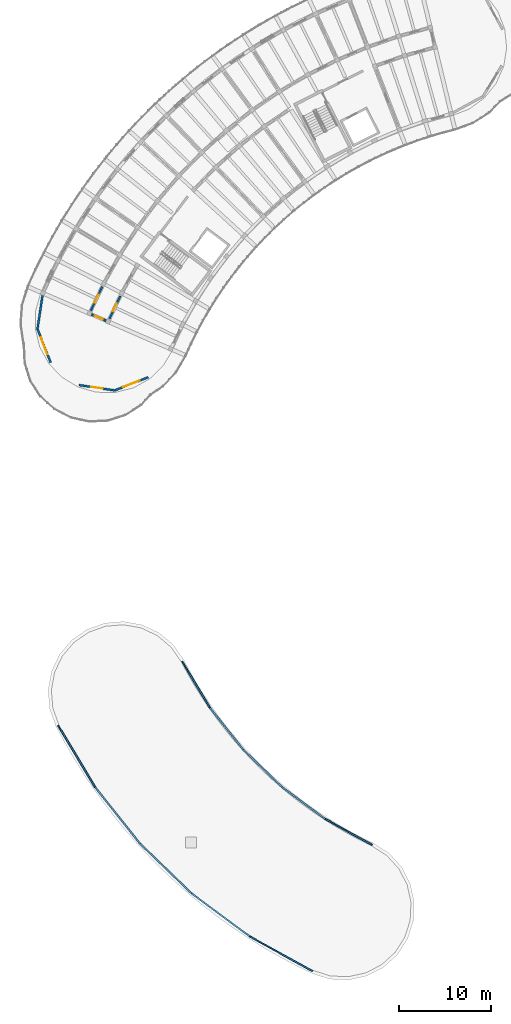
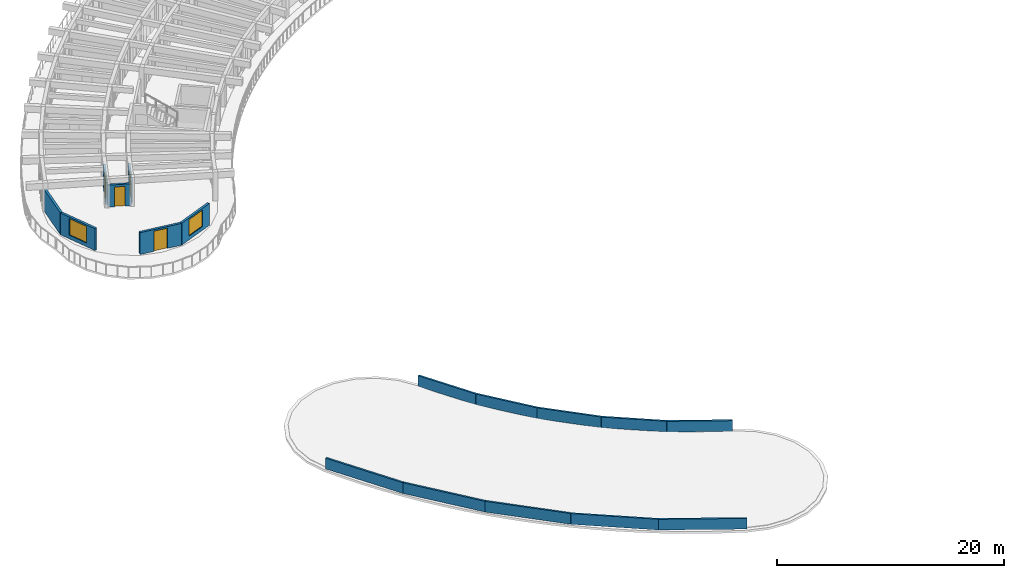
# One storey, part 18 of 36: 17 walls, 4 doors, 2 windows, 6 openings.
"""IFC4 building model written with IfcOpenShell, lengths in metres."""

from ifc_helpers import new_model, si_unit, direction, frame, frame_2d, origin, place, context, subcontext, project, spatial, rectangle, extrude, material, layer, layer_set, type_object, element, fill, save


model = new_model("IFC4")

# Units and contexts
model_context = context("Model", 3, precision=1e-05, world=origin(), true_north=direction((0.0, 1.0)))
body_context = subcontext(model_context, "Body", "Model", "MODEL_VIEW")
ifc_project = project(units=[si_unit("LENGTHUNIT", "METRE"), si_unit("AREAUNIT", "SQUARE_METRE"), si_unit("VOLUMEUNIT", "CUBIC_METRE"), si_unit("PLANEANGLEUNIT", "RADIAN"), si_unit("MASSUNIT", "GRAM", prefix="KILO")], contexts=[model_context])

# Site, building, storey
site_placement = place(None, origin())
site = spatial("IfcSite", under=ifc_project, at=site_placement, CompositionType="ELEMENT")
building_placement = place(site_placement, origin())
building = spatial("IfcBuilding", under=site, at=building_placement, Name="Tanwirah Colonnade Gardens", CompositionType="ELEMENT")
storey_placement = place(building_placement, frame((0.0, 0.0, 39.080078125)))
storey = spatial("IfcBuildingStorey", under=building, at=storey_placement, Name="L11", CompositionType="ELEMENT", Elevation=39.080078125)

# Walls
ifc_material_1 = material(Name="White architectural precast concrete C40/50", Category="concrete")
ifc_layer_1 = layer(ifc_material_1, 0.179931640625)
ifc_layer_set_1 = layer_set([ifc_layer_1], Name="White architectural precast concrete C40/50")
wall_type_1 = type_object("IfcWallType", Name="EW-PAR180", PredefinedType="PARAPET", material=ifc_layer_set_1)
wall_1_placement = place(storey_placement, frame((12.05908203125, 37.233642578125, 0.0), z_axis=(0.0, 0.0, 1.0), x_axis=(0.515039524062, -0.857166429962, 0.0)))
element("IfcWall", 1, at=wall_1_placement, inside=storey, type_object=wall_type_1, Name="Block C Roof Cornice Parapet OUT-0", PredefinedType="PARAPET", context=body_context, shape_type="SweptSolid", body=[
    extrude(rectangle(XDim=7.78955078125, YDim=0.179931640625, at=frame_2d((3.894775390625, 0.0))), origin(), (0.0, 0.0, 1.0), 1.14990234375),
])
wall_2_placement = place(storey_placement, frame((25.483154296875, 44.1474609375, 0.0), z_axis=(0.0, 0.0, 1.0), x_axis=(0.515039041259, -0.85716672006, 0.0)))
element("IfcWall", 2, at=wall_2_placement, inside=storey, type_object=wall_type_1, Name="Block C Roof Cornice Parapet IN-0", PredefinedType="PARAPET", context=body_context, shape_type="SweptSolid", body=[
    extrude(rectangle(XDim=5.814453125, YDim=0.179931640625, at=frame_2d((2.9072265625, 0.0))), origin(), (0.0, 0.0, 1.0), 1.14990234375),
])
wall_3_placement = place(storey_placement, frame((16.071044921875, 30.556640625, 0.0), z_axis=(0.0, 0.0, 1.0), x_axis=(0.622494771088, -0.782623958213, 0.0)))
element("IfcWall", 3, at=wall_3_placement, inside=storey, type_object=wall_type_1, Name="Block C Roof Cornice Parapet OUT-2", PredefinedType="PARAPET", context=body_context, shape_type="SweptSolid", body=[
    extrude(rectangle(XDim=7.789306640625, YDim=0.179931640625, at=frame_2d((3.89453125, 0.0))), origin(), (0.0, 0.0, 1.0), 1.14990234375),
])
wall_4_placement = place(storey_placement, frame((28.477783203125, 39.16357421875, 0.0), z_axis=(0.0, 0.0, 1.0), x_axis=(0.622531748433, -0.78259454521, 0.0)))
element("IfcWall", 4, at=wall_4_placement, inside=storey, type_object=wall_type_1, Name="Block C Roof Cornice Parapet IN-2", PredefinedType="PARAPET", context=body_context, shape_type="SweptSolid", body=[
    extrude(rectangle(XDim=5.814453125, YDim=0.179931640625, at=frame_2d((2.9072265625, 0.0))), origin(), (0.0, 0.0, 1.0), 1.14990234375),
])
wall_5_placement = place(storey_placement, frame((20.919921875, 24.46044921875, 0.0), z_axis=(0.0, 0.0, 1.0), x_axis=(0.719363116119, -0.694634225451, 0.0)))
element("IfcWall", 5, at=wall_5_placement, inside=storey, type_object=wall_type_1, Name="Block C Roof Cornice Parapet OUT-4", PredefinedType="PARAPET", context=body_context, shape_type="SweptSolid", body=[
    extrude(rectangle(XDim=7.78955078125, YDim=0.179931640625, at=frame_2d((3.894775390625, 0.0))), origin(), (0.0, 0.0, 1.0), 1.14990234375),
])
wall_6_placement = place(storey_placement, frame((32.097412109375, 34.61328125, 0.0), z_axis=(0.0, 0.0, 1.0), x_axis=(0.719323316706, -0.694675439355, 0.0)))
element("IfcWall", 6, at=wall_6_placement, inside=storey, type_object=wall_type_1, Name="Block C Roof Cornice Parapet IN-4", PredefinedType="PARAPET", context=body_context, shape_type="SweptSolid", body=[
    extrude(rectangle(XDim=5.814208984375, YDim=0.179931640625, at=frame_2d((2.9072265625, 0.0))), origin(), (0.0, 0.0, 1.0), 1.14990234375),
])
wall_7_placement = place(storey_placement, frame((26.5234375, 19.049560546875, 0.0), z_axis=(0.0, 0.0, 1.0), x_axis=(0.803838602122, -0.594847460899, 0.0)))
element("IfcWall", 7, at=wall_7_placement, inside=storey, type_object=wall_type_1, Name="Block C Roof Cornice Parapet OUT-6", PredefinedType="PARAPET", context=body_context, shape_type="SweptSolid", body=[
    extrude(rectangle(XDim=7.78955078125, YDim=0.179931640625, at=frame_2d((3.894775390625, 0.0))), origin(), (0.0, 0.0, 1.0), 1.14990234375),
])
wall_8_placement = place(storey_placement, frame((36.27978515625, 30.57421875, 0.0), z_axis=(0.0, 0.0, 1.0), x_axis=(0.803853142651, -0.594827811262, 0.0)))
element("IfcWall", 8, at=wall_8_placement, inside=storey, type_object=wall_type_1, Name="Block C Roof Cornice Parapet IN-6", PredefinedType="PARAPET", context=body_context, shape_type="SweptSolid", body=[
    extrude(rectangle(XDim=5.814208984375, YDim=0.179931640625, at=frame_2d((2.9072265625, 0.0))), origin(), (0.0, 0.0, 1.0), 1.14990234375),
])
wall_9_placement = place(storey_placement, frame((32.784912109375, 14.416015625, 0.0), z_axis=(0.0, 0.0, 1.0), x_axis=(0.874626994987, -0.484796472388, 0.0)))
element("IfcWall", 9, at=wall_9_placement, inside=storey, type_object=wall_type_1, Name="Block C Roof Cornice Parapet OUT-8", PredefinedType="PARAPET", context=body_context, shape_type="SweptSolid", body=[
    extrude(rectangle(XDim=7.78955078125, YDim=0.179931640625, at=frame_2d((3.894775390625, 0.0))), origin(), (0.0, 0.0, 1.0), 1.14990234375),
])
wall_10_placement = place(storey_placement, frame((40.95361328125, 27.11572265625, 0.0), z_axis=(0.0, 0.0, 1.0), x_axis=(0.874624292428, -0.484801348074, 0.0)))
element("IfcWall", 10, at=wall_10_placement, inside=storey, type_object=wall_type_1, Name="Block C Roof Cornice Parapet IN-8", PredefinedType="PARAPET", context=body_context, shape_type="SweptSolid", body=[
    extrude(rectangle(XDim=5.814453125, YDim=0.179931640625, at=frame_2d((2.9072265625, 0.0))), origin(), (0.0, 0.0, 1.0), 1.14990234375),
])

# Wall, opening, window
ifc_material_2 = material(Name="Limestone architectural precast concrete C40/50", Category="masonry")
ifc_layer_2 = layer(ifc_material_2, 0.22509765625)
ifc_layer_set_2 = layer_set([ifc_layer_2], Name="Limestone architectural precast concrete C40/50")
wall_type_2 = type_object("IfcWallType", Name="EW-PC225", PredefinedType="SOLIDWALL", material=ifc_layer_set_2)
wall_11_placement = place(storey_placement, frame((21.818115234375, 74.90771484375, 0.0), z_axis=(0.0, 0.0, 1.0), x_axis=(-0.930784898276, -0.365567330517, 0.0)))
wall_11 = element("IfcWall", 11, at=wall_11_placement, inside=storey, type_object=wall_type_2, Name="Block A L11 END Rounded End Wall 1", PredefinedType="SOLIDWALL", context=body_context, shape_type="SweptSolid", body=[
    extrude(rectangle(XDim=3.908203125, YDim=0.22509765625, at=frame_2d((1.9541015625, 0.0))), origin(), (0.0, 0.0, 1.0), 2.35498046875),
])
opening_1_placement = place(wall_11_placement, frame((0.97900390625, 0.0, 0.39990234375)))
opening_1 = element("IfcOpeningElement", 12, at=opening_1_placement, cuts=wall_11, Name="Opening WIN-END2", PredefinedType="OPENING", context=body_context, shape_type="SweptSolid", body=[
    extrude(rectangle(XDim=1.949951171875, YDim=1.780029296875, at=frame_2d((0.97509765625, 0.89013671875))), frame((0.0, 0.12255859375, 0.0), z_axis=(0.0, -1.0, 0.0), x_axis=(1.0, 0.0, 0.0)), (0.0, 0.0, 1.0), 0.2451171875),
])
ifc_material_3 = material(Name="Thermally broken bronze aluminium and solar low-E double glazing", Category="aluminium")
window_type = type_object("IfcWindowType", Name="WIN-END2", PartitioningType="TRIPLE_PANEL_VERTICAL", PredefinedType="WINDOW", material=ifc_material_3)
window_1_placement = place(opening_1_placement, origin())
window_1 = element("IfcWindow", 13, at=window_1_placement, inside=storey, type_object=window_type, Name="Rounded corner window A-L11-END-1", OverallHeight=1.780029296875, OverallWidth=1.949951171875, PartitioningType="SINGLE_PANEL", PredefinedType="WINDOW", context=body_context, shape_type="SweptSolid", body=[
    extrude(rectangle(XDim=1.949951171875, YDim=1.780029296875, at=frame_2d((0.97509765625, 0.89013671875))), frame((0.0, 0.030029296875, 0.0), z_axis=(0.0, -1.0, 0.0), x_axis=(1.0, 0.0, 0.0)), (0.0, 0.0, 1.0), 0.06005859375),
])
fill(opening_1, window_1)

# Wall, opening, door
wall_12_placement = place(storey_placement, frame((18.180419921875, 73.47900390625, 0.0), z_axis=(0.0, 0.0, 1.0), x_axis=(-0.988876706576, 0.148737551381, 0.0)))
wall_12 = element("IfcWall", 14, at=wall_12_placement, inside=storey, type_object=wall_type_2, Name="Block A L11 END Rounded End Wall 2", PredefinedType="SOLIDWALL", context=body_context, shape_type="SweptSolid", body=[
    extrude(rectangle(XDim=3.908203125, YDim=0.22509765625, at=frame_2d((1.9541015625, 0.0))), origin(), (0.0, 0.0, 1.0), 2.35498046875),
])
opening_2_placement = place(wall_12_placement, frame((1.32421875, 0.0, 0.0)))
opening_2 = element("IfcOpeningElement", 15, at=opening_2_placement, cuts=wall_12, Name="Opening L11-ED057", PredefinedType="OPENING", context=body_context, shape_type="SweptSolid", body=[
    extrude(rectangle(XDim=1.260009765625, YDim=2.179931640625, at=frame_2d((0.6298828125, 1.08984375))), frame((0.0, 0.12255859375, 0.0), z_axis=(0.0, -1.0, 0.0), x_axis=(1.0, 0.0, 0.0)), (0.0, 0.0, 1.0), 0.2451171875),
])
ifc_material_4 = material(Name="Bronze aluminium glazed terrace door", Category="aluminium")
door_type_1 = type_object("IfcDoorType", Name="ED-TER126", OperationType="NOTDEFINED", PredefinedType="DOOR", material=ifc_material_4)
door_1_placement = place(opening_2_placement, origin())
door_1 = element("IfcDoor", 16, at=door_1_placement, inside=storey, type_object=door_type_1, Name="Stepped corner terrace door L11-ED057", OperationType="SINGLE_SWING_LEFT", OverallHeight=2.179931640625, OverallWidth=1.260009765625, PredefinedType="DOOR", context=body_context, shape_type="SweptSolid", body=[
    extrude(rectangle(XDim=1.260009765625, YDim=2.179931640625, at=frame_2d((0.6298828125, 1.08984375))), frame((0.0, 0.02490234375, 0.0), z_axis=(0.0, -1.0, 0.0), x_axis=(1.0, 0.0, 0.0)), (0.0, 0.0, 1.0), 0.050048828125),
])
fill(opening_2, door_1)

# Wall, opening, window
wall_13_placement = place(storey_placement, frame((11.259521484375, 76.49609375, 0.0), z_axis=(0.0, 0.0, 1.0), x_axis=(-0.365567330517, 0.930784898276, 0.0)))
wall_13 = element("IfcWall", 17, at=wall_13_placement, inside=storey, type_object=wall_type_2, Name="Block A L11 END Rounded End Wall 4", PredefinedType="SOLIDWALL", context=body_context, shape_type="SweptSolid", body=[
    extrude(rectangle(XDim=3.908203125, YDim=0.22509765625, at=frame_2d((1.9541015625, 0.0))), origin(), (0.0, 0.0, 1.0), 2.35498046875),
])
opening_3_placement = place(wall_13_placement, frame((0.97900390625, 0.0, 0.39990234375)))
opening_3 = element("IfcOpeningElement", 18, at=opening_3_placement, cuts=wall_13, Name="Opening WIN-END2", PredefinedType="OPENING", context=body_context, shape_type="SweptSolid", body=[
    extrude(rectangle(XDim=1.949951171875, YDim=1.780029296875, at=frame_2d((0.97509765625, 0.89013671875))), frame((0.0, 0.12255859375, 0.0), z_axis=(0.0, -1.0, 0.0), x_axis=(1.0, 0.0, 0.0)), (0.0, 0.0, 1.0), 0.2451171875),
])
window_2_placement = place(opening_3_placement, origin())
window_2 = element("IfcWindow", 19, at=window_2_placement, inside=storey, type_object=window_type, Name="Rounded corner window A-L11-END-4", OverallHeight=1.780029296875, OverallWidth=1.949951171875, PartitioningType="SINGLE_PANEL", PredefinedType="WINDOW", context=body_context, shape_type="SweptSolid", body=[
    extrude(rectangle(XDim=1.949951171875, YDim=1.780029296875, at=frame_2d((0.97509765625, 0.89013671875))), frame((0.0, 0.030029296875, 0.0), z_axis=(0.0, -1.0, 0.0), x_axis=(1.0, 0.0, 0.0)), (0.0, 0.0, 1.0), 0.06005859375),
])
fill(opening_3, window_2)

# Wall
wall_14_placement = place(storey_placement, frame((9.830810546875, 80.1337890625, 0.0), z_axis=(0.0, 0.0, 1.0), x_axis=(0.148737551381, 0.988876706576, 0.0)))
element("IfcWall", 20, at=wall_14_placement, inside=storey, type_object=wall_type_2, Name="Block A L11 END Rounded End Wall 5", PredefinedType="SOLIDWALL", context=body_context, shape_type="SweptSolid", body=[
    extrude(rectangle(XDim=3.908203125, YDim=0.22509765625, at=frame_2d((1.9541015625, 0.0))), origin(), (0.0, 0.0, 1.0), 2.35498046875),
])

# Wall, opening, door
ifc_material_5 = material(Name="Precast concrete C40/50", Category="concrete")
ifc_layer_3 = layer(ifc_material_5, 0.205078125)
ifc_layer_set_3 = layer_set([ifc_layer_3], Name="Precast concrete C40/50")
wall_type_3 = type_object("IfcWallType", Name="IW-CORR205", PredefinedType="PARTITIONING", material=ifc_layer_set_3)
wall_15_placement = place(storey_placement, frame((16.834228515625, 84.701904296875, 0.0), z_axis=(0.0, 0.0, 1.0), x_axis=(-0.429595933416, -0.90302122566, 0.0)))
wall_15 = element("IfcWall", 21, at=wall_15_placement, inside=storey, type_object=wall_type_3, Name="Block A L11 OUT Corridor Wall 15", PredefinedType="PARTITIONING", context=body_context, shape_type="SweptSolid", body=[
    extrude(rectangle(XDim=2.863037109375, YDim=0.205078125, at=frame_2d((1.431640625, 0.0))), origin(), (0.0, 0.0, 1.0), 2.369873046875),
])
opening_4_placement = place(wall_15_placement, frame((0.95654296875, 0.0, 0.0)))
opening_4 = element("IfcOpeningElement", 22, at=opening_4_placement, cuts=wall_15, Name="Opening L11-AD702", PredefinedType="OPENING", context=body_context, shape_type="SweptSolid", body=[
    extrude(rectangle(XDim=0.949951171875, YDim=2.1298828125, at=frame_2d((0.47509765625, 1.06494140625))), frame((0.0, 0.112548828125, 0.0), z_axis=(0.0, -1.0, 0.0), x_axis=(1.0, 0.0, 0.0)), (0.0, 0.0, 1.0), 0.22509765625),
])
ifc_material_6 = material(Name="Solid oak fire-resisting apartment entrance door")
door_type_2 = type_object("IfcDoorType", Name="ID-FLT095", OperationType="NOTDEFINED", PredefinedType="DOOR", material=ifc_material_6)
door_2_placement = place(opening_4_placement, origin())
door_2 = element("IfcDoor", 23, at=door_2_placement, inside=storey, type_object=door_type_2, Name="Apartment corridor door L11-AD702", OperationType="SINGLE_SWING_LEFT", OverallHeight=2.1298828125, OverallWidth=0.949951171875, PredefinedType="DOOR", context=body_context, shape_type="SweptSolid", body=[
    extrude(rectangle(XDim=0.949951171875, YDim=2.1298828125, at=frame_2d((0.47509765625, 1.06494140625))), frame((0.0, 0.02490234375, 0.0), z_axis=(0.0, -1.0, 0.0), x_axis=(1.0, 0.0, 0.0)), (0.0, 0.0, 1.0), 0.050048828125),
])
fill(opening_4, door_2)

wall_16_placement = place(storey_placement, frame((18.78857421875, 83.691650390625, 0.0), z_axis=(0.0, 0.0, 1.0), x_axis=(-0.429630211913, -0.90300491749, 0.0)))
wall_16 = element("IfcWall", 24, at=wall_16_placement, inside=storey, type_object=wall_type_3, Name="Block A L11 IN Corridor Wall 15", PredefinedType="PARTITIONING", context=body_context, shape_type="SweptSolid", body=[
    extrude(rectangle(XDim=2.718017578125, YDim=0.205078125, at=frame_2d((1.35888671875, 0.0))), origin(), (0.0, 0.0, 1.0), 2.369873046875),
])
opening_5_placement = place(wall_16_placement, frame((0.884033203125, 0.0, 0.0)))
opening_5 = element("IfcOpeningElement", 25, at=opening_5_placement, cuts=wall_16, Name="Opening L11-AD703", PredefinedType="OPENING", context=body_context, shape_type="SweptSolid", body=[
    extrude(rectangle(XDim=0.949951171875, YDim=2.1298828125, at=frame_2d((0.47509765625, 1.06494140625))), frame((0.0, 0.112548828125, 0.0), z_axis=(0.0, -1.0, 0.0), x_axis=(1.0, 0.0, 0.0)), (0.0, 0.0, 1.0), 0.22509765625),
])
door_3_placement = place(opening_5_placement, origin())
door_3 = element("IfcDoor", 26, at=door_3_placement, inside=storey, type_object=door_type_2, Name="Apartment corridor door L11-AD703", OperationType="SINGLE_SWING_RIGHT", OverallHeight=2.1298828125, OverallWidth=0.949951171875, PredefinedType="DOOR", context=body_context, shape_type="SweptSolid", body=[
    extrude(rectangle(XDim=0.949951171875, YDim=2.1298828125, at=frame_2d((0.47509765625, 1.06494140625))), frame((0.0, 0.02490234375, 0.0), z_axis=(0.0, -1.0, 0.0), x_axis=(1.0, 0.0, 0.0)), (0.0, 0.0, 1.0), 0.050048828125),
])
fill(opening_5, door_3)

wall_17_placement = place(storey_placement, frame((17.424560546875, 80.941162109375, 0.0), z_axis=(0.0, 0.0, 1.0), x_axis=(-0.916636986934, 0.399720695216, 0.0)))
wall_17 = element("IfcWall", 27, at=wall_17_placement, inside=storey, type_object=wall_type_3, Name="Block A L11 CE Corner Suite Corridor Wall", PredefinedType="PARTITIONING", context=body_context, shape_type="SweptSolid", body=[
    extrude(rectangle(XDim=2.099853515625, YDim=0.205078125, at=frame_2d((1.0498046875, 0.0))), origin(), (0.0, 0.0, 1.0), 2.369873046875),
])
opening_6_placement = place(wall_17_placement, frame((0.570068359375, 0.0, 0.0)))
opening_6 = element("IfcOpeningElement", 28, at=opening_6_placement, cuts=wall_17, Name="Opening L11-CD705", PredefinedType="OPENING", context=body_context, shape_type="SweptSolid", body=[
    extrude(rectangle(XDim=0.949951171875, YDim=2.1298828125, at=frame_2d((0.47509765625, 1.06494140625))), frame((0.0, 0.112548828125, 0.0), z_axis=(0.0, -1.0, 0.0), x_axis=(1.0, 0.0, 0.0)), (0.0, 0.0, 1.0), 0.22509765625),
])
door_4_placement = place(opening_6_placement, origin())
door_4 = element("IfcDoor", 29, at=door_4_placement, inside=storey, type_object=door_type_2, Name="Corner suite entrance door L11-CD705", OperationType="SINGLE_SWING_RIGHT", OverallHeight=2.1298828125, OverallWidth=0.949951171875, PredefinedType="DOOR", context=body_context, shape_type="SweptSolid", body=[
    extrude(rectangle(XDim=0.949951171875, YDim=2.1298828125, at=frame_2d((0.47509765625, 1.06494140625))), frame((0.0, 0.02490234375, 0.0), z_axis=(0.0, -1.0, 0.0), x_axis=(1.0, 0.0, 0.0)), (0.0, 0.0, 1.0), 0.050048828125),
])
fill(opening_6, door_4)

save(model, "model.ifc")
